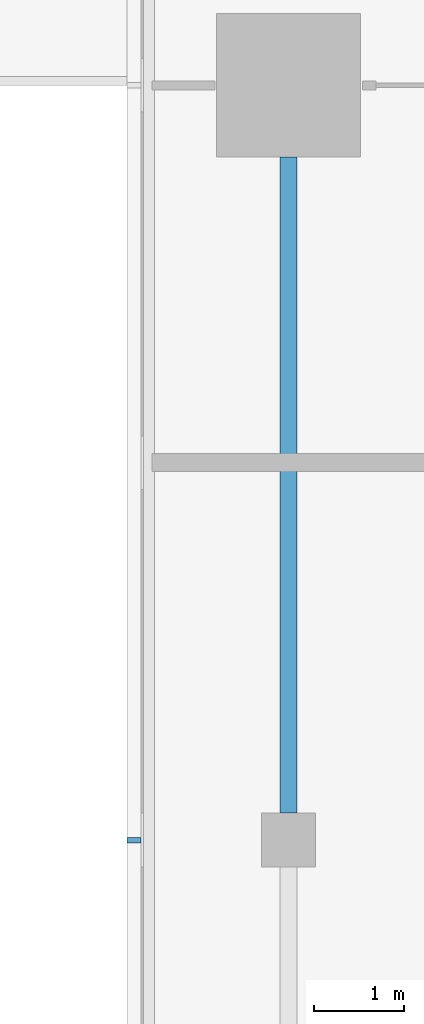
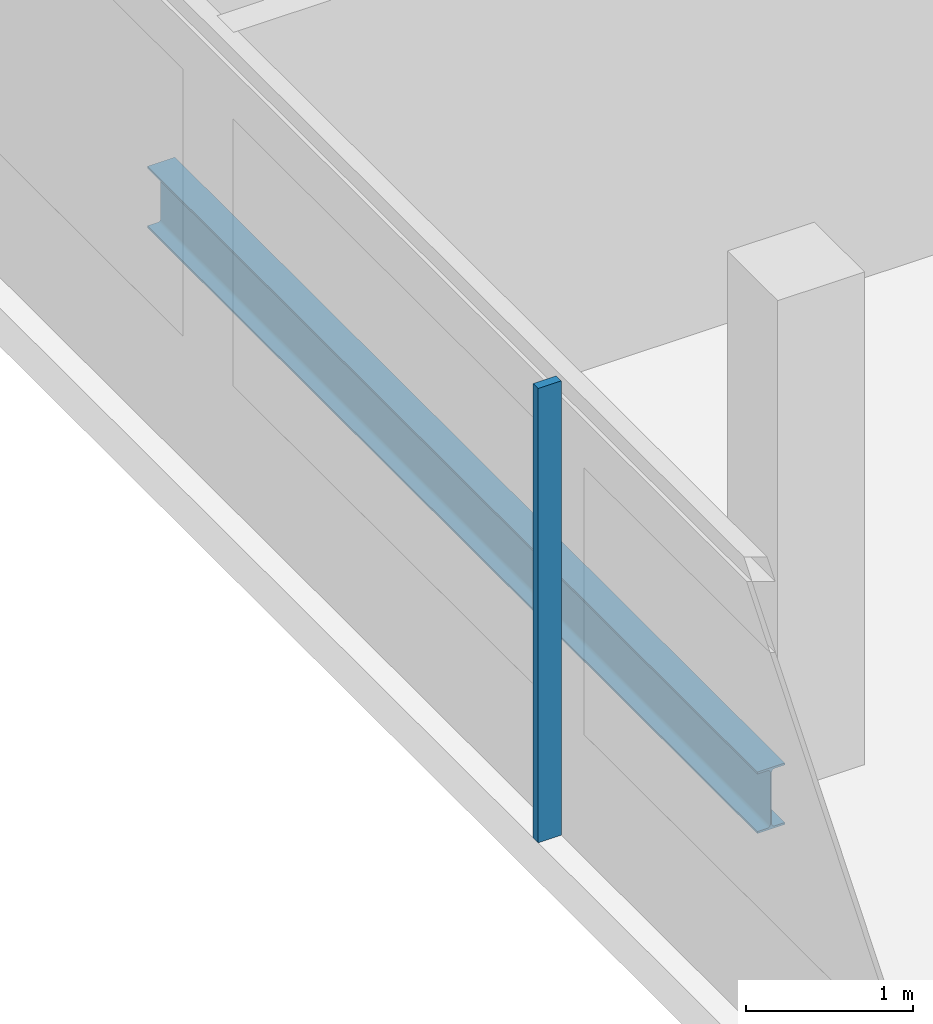
# One storey, part 4 of 30: 1 beam, 1 member, 1 element without a shape of its own.
"""IFC4 building model written with IfcOpenShell, lengths in metres."""

from ifc_helpers import new_model, si_unit, direction, frame, origin, origin_2d, place, context, subcontext, project, spatial, rectangle, i_section, extrude, material, material_profile, profile_set, type_object, element, aggregate, save


model = new_model("IFC4")

# Units and contexts
model_context = context("Model", 3, precision=1e-05, world=origin(), true_north=direction((0.0, 1.0)))
body_context = subcontext(model_context, "Body", "Model", "MODEL_VIEW")
ifc_project = project(units=[si_unit("LENGTHUNIT", "METRE"), si_unit("AREAUNIT", "SQUARE_METRE"), si_unit("VOLUMEUNIT", "CUBIC_METRE"), si_unit("PLANEANGLEUNIT", "RADIAN"), si_unit("MASSUNIT", "GRAM", prefix="KILO")], contexts=[model_context])

# Site, building, storey
site_placement = place(None, origin())
site = spatial("IfcSite", under=ifc_project, at=site_placement, CompositionType="ELEMENT")
building_placement = place(site_placement, origin())
building = spatial("IfcBuilding", under=site, at=building_placement, Name="Saffron Gate Tower", CompositionType="ELEMENT")
storey_placement = place(building_placement, frame((0.0, 0.0, 223.5)))
storey = spatial("IfcBuildingStorey", under=building, at=storey_placement, Name="L54", CompositionType="ELEMENT", Elevation=223.5)

# Beam
ifc_material_1 = material(Name="Structural steel S355", Category="steel")
ifc_material_profile_1 = material_profile(ifc_material_1, i_section(OverallWidth=0.18994140625, OverallDepth=0.449951171875, WebThickness=0.009521484375, FlangeThickness=0.0146484375, FilletRadius=0.02099609375, at=origin_2d()))
ifc_profile_set_1 = profile_set([ifc_material_profile_1], Name="Structural steel S355")
beam_type = type_object("IfcBeamType", Name="B7 IPE 450", PredefinedType="SPANDREL", material=ifc_profile_set_1)
beam_placement = place(storey_placement, frame((49.800048828125, 57.300048828125, -0.5048828125), z_axis=(0.0, 1.0, 0.0), x_axis=(-1.0, 0.0, 0.0)))
element("IfcBeam", 1, at=beam_placement, inside=storey, type_object=beam_type, Name="B7 SPANDREL BEAM", PredefinedType="SPANDREL", context=body_context, shape_type="SweptSolid", body=[
    extrude(i_section(OverallWidth=0.18994140625, OverallDepth=0.449951171875, WebThickness=0.009521484375, FlangeThickness=0.0146484375, FilletRadius=0.02099609375, at=origin_2d()), origin(), (0.0, 0.0, 1.0), 7.300048828125),
])

# Curtain wall, member
ifc_material_2 = material(Name="Aluminium, bronze anodised", Category="aluminium")
curtain_wall_type = type_object("IfcCurtainWallType", Name="CWS2 curtain wall side facades", PredefinedType="NOTDEFINED", material=ifc_material_2)
curtain_wall_placement = place(storey_placement, origin())
curtain_wall = element("IfcCurtainWall", 2, at=curtain_wall_placement, inside=storey, type_object=curtain_wall_type, Name="CWS2 run 10", PredefinedType="NOTDEFINED")
ifc_material_profile_2 = material_profile(ifc_material_2, rectangle(XDim=0.159912109375, YDim=0.06005859375, at=origin_2d()))
ifc_profile_set_2 = profile_set([ifc_material_profile_2], Name="Aluminium, bronze anodised")
member_type = type_object("IfcMemberType", Name="CWS2 mullion 60x160", PredefinedType="MULLION", material=ifc_profile_set_2)
member_placement = place(storey_placement, frame((48.080078125, 57.0, 0.0), z_axis=(0.0, 0.0, 1.0), x_axis=(1.0, 0.0, 0.0)))
member = element("IfcMember", 3, at=member_placement, type_object=member_type, Name="CWS2 mullion 3", PredefinedType="MULLION", context=body_context, shape_type="SweptSolid", body=[
    extrude(rectangle(XDim=0.159912109375, YDim=0.06005859375, at=origin_2d()), origin(), (0.0, 0.0, 1.0), 3.320068359375),
])
aggregate(curtain_wall, [member])

save(model, "model.ifc")
